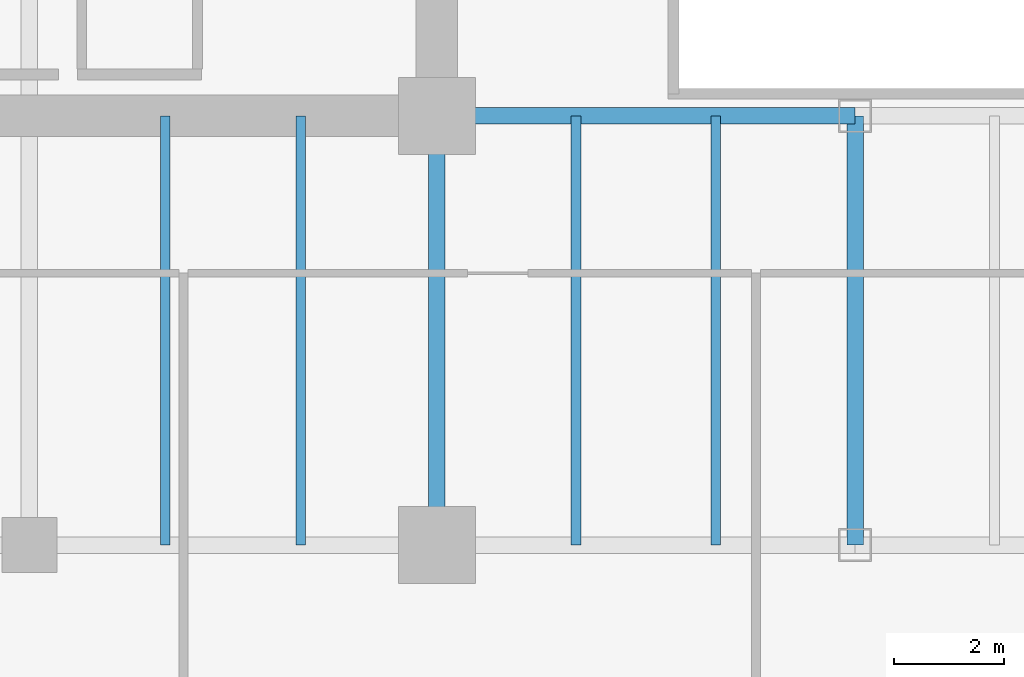
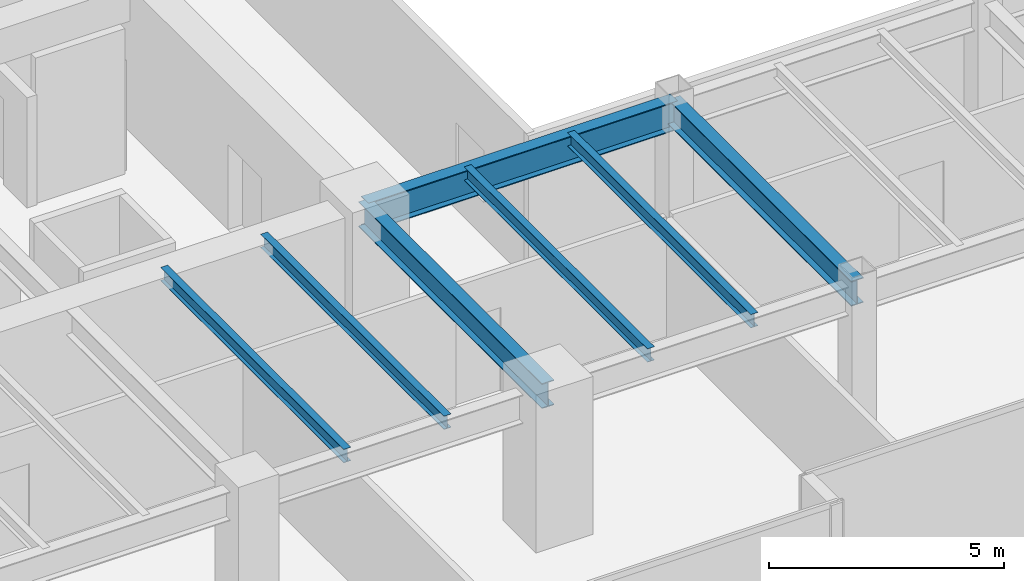
# One storey, part 5 of 35: 7 beams.
"""IFC4 building model written with IfcOpenShell, lengths in metres."""

from ifc_helpers import new_model, si_unit, direction, frame, origin, origin_2d, place, context, subcontext, project, spatial, i_section, extrude, source, transform, mapped, material, material_profile, profile_set, type_object, type_shapes, element, save


model = new_model("IFC4")

# Units and contexts
model_context = context("Model", 3, precision=1e-05, world=origin(), true_north=direction((0.0, 1.0)))
body_context = subcontext(model_context, "Body", "Model", "MODEL_VIEW")
ifc_project = project(units=[si_unit("LENGTHUNIT", "METRE"), si_unit("AREAUNIT", "SQUARE_METRE"), si_unit("VOLUMEUNIT", "CUBIC_METRE"), si_unit("PLANEANGLEUNIT", "RADIAN"), si_unit("MASSUNIT", "GRAM", prefix="KILO")], contexts=[model_context])

# Site, building, storey
site_placement = place(None, origin())
site = spatial("IfcSite", under=ifc_project, at=site_placement, CompositionType="ELEMENT")
building_placement = place(site_placement, origin())
building = spatial("IfcBuilding", under=site, at=building_placement, Name="Haelvirn Gate Laboratories", CompositionType="ELEMENT")
storey_placement = place(building_placement, frame((0.0, 0.0, 86.699951171875)))
storey = spatial("IfcBuildingStorey", under=building, at=storey_placement, Name="L21", CompositionType="ELEMENT", Elevation=86.699951171875)

# Beams
ifc_material = material(Name="Steel SM355", Category="steel")
ifc_material_profile_1 = material_profile(ifc_material, i_section(OverallWidth=0.300048828125, OverallDepth=0.75, WebThickness=0.013916015625, FlangeThickness=0.02392578125, at=origin_2d()), Name="H-750x300x14x24")
ifc_profile_set_1 = profile_set([ifc_material_profile_1], Name="Steel SM355")
beam_type_1 = type_object("IfcBeamType", Name="BM-G-750", PredefinedType="BEAM", material=ifc_profile_set_1)
shared_shape_1 = source(origin(), body_context, "Body", "SweptSolid", [
    extrude(i_section(OverallWidth=0.300048828125, OverallDepth=0.75, WebThickness=0.013916015625, FlangeThickness=0.02392578125, at=origin_2d()), origin(), (0.0, 0.0, 1.0), 7.60009765625),
])
type_shapes(beam_type_1, [shared_shape_1])
beam_placement = place(storey_placement, frame((22.199951171875, 14.800048828125, 3.405029296875), z_axis=(1.0, 0.0, 0.0), x_axis=(0.0, 1.0, 0.0)))
element("IfcBeam", 1, at=beam_placement, inside=storey, type_object=beam_type_1, Name="L21 Primary Girder Y14.8 (22.2-29.8)", PredefinedType="BEAM", context=body_context, shape_type="MappedRepresentation", body=[
    mapped(shared_shape_1, transform((0.0, 0.0, 0.0), scale=1.0)),
])
ifc_material_profile_2 = material_profile(ifc_material, i_section(OverallWidth=0.175048828125, OverallDepth=0.35009765625, WebThickness=0.007080078125, FlangeThickness=0.010986328125, at=origin_2d()), Name="H-350x175x7x11")
ifc_profile_set_2 = profile_set([ifc_material_profile_2], Name="Steel SM355")
beam_type_2 = type_object("IfcBeamType", Name="BM-J-350", PredefinedType="JOIST", material=ifc_profile_set_2)
shared_shape_2 = source(origin(), body_context, "Body", "SweptSolid", [
    extrude(i_section(OverallWidth=0.175048828125, OverallDepth=0.35009765625, WebThickness=0.007080078125, FlangeThickness=0.010986328125, at=origin_2d()), origin(), (0.0, 0.0, 1.0), 7.800048828125),
])
type_shapes(beam_type_2, [shared_shape_2])
for number, where, z_axis, x_axis, name in (
    (2, (17.27001953125, 7.0, 3.60498046875), (0.0, 1.0, 0.0), (-1.0, 0.0, 0.0), "L21 Composite Lab Joist South X17.27"),
    (3, (19.72998046875, 7.0, 3.60498046875), (0.0, 1.0, 0.0), (-1.0, 0.0, 0.0), "L21 Composite Lab Joist South X19.73"),
    (4, (24.72998046875, 7.0, 3.60498046875), (0.0, 1.0, 0.0), (-1.0, 0.0, 0.0), "L21 Composite Lab Joist South X24.73"),
    (5, (27.27001953125, 7.0, 3.60498046875), (0.0, 1.0, 0.0), (-1.0, 0.0, 0.0), "L21 Composite Lab Joist South X27.27"),
):
    element("IfcBeam", number, at=place(storey_placement, frame(where, z_axis=z_axis, x_axis=x_axis)), inside=storey, type_object=beam_type_2, Name=name, PredefinedType="JOIST", context=body_context, shape_type="MappedRepresentation", body=[
        mapped(shared_shape_2, transform((0.0, 0.0, 0.0), scale=1.0)),
    ])
ifc_material_profile_3 = material_profile(ifc_material, i_section(OverallWidth=0.300048828125, OverallDepth=0.64990234375, WebThickness=0.012939453125, FlangeThickness=0.02197265625, at=origin_2d()), Name="H-650x300x13x22")
ifc_profile_set_3 = profile_set([ifc_material_profile_3], Name="Steel SM355")
beam_type_3 = type_object("IfcBeamType", Name="BM-G-650", PredefinedType="BEAM", material=ifc_profile_set_3)
shared_shape_3 = source(origin(), body_context, "Body", "SweptSolid", [
    extrude(i_section(OverallWidth=0.300048828125, OverallDepth=0.64990234375, WebThickness=0.012939453125, FlangeThickness=0.02197265625, at=origin_2d()), origin(), (0.0, 0.0, 1.0), 7.800048828125),
])
type_shapes(beam_type_3, [shared_shape_3])
for number, where, z_axis, x_axis, name in (
    (6, (22.199951171875, 7.0, 3.455078125), (0.0, 1.0, 0.0), (-1.0, 0.0, 0.0), "L21 Frame Girder X22.2 (7.0-14.8)"),
    (7, (29.800048828125, 7.0, 3.455078125), (0.0, 1.0, 0.0), (-1.0, 0.0, 0.0), "L21 Frame Girder X29.8 (7.0-14.8)"),
):
    element("IfcBeam", number, at=place(storey_placement, frame(where, z_axis=z_axis, x_axis=x_axis)), inside=storey, type_object=beam_type_3, Name=name, PredefinedType="BEAM", context=body_context, shape_type="MappedRepresentation", body=[
        mapped(shared_shape_3, transform((0.0, 0.0, 0.0), scale=1.0)),
    ])

save(model, "model.ifc")
